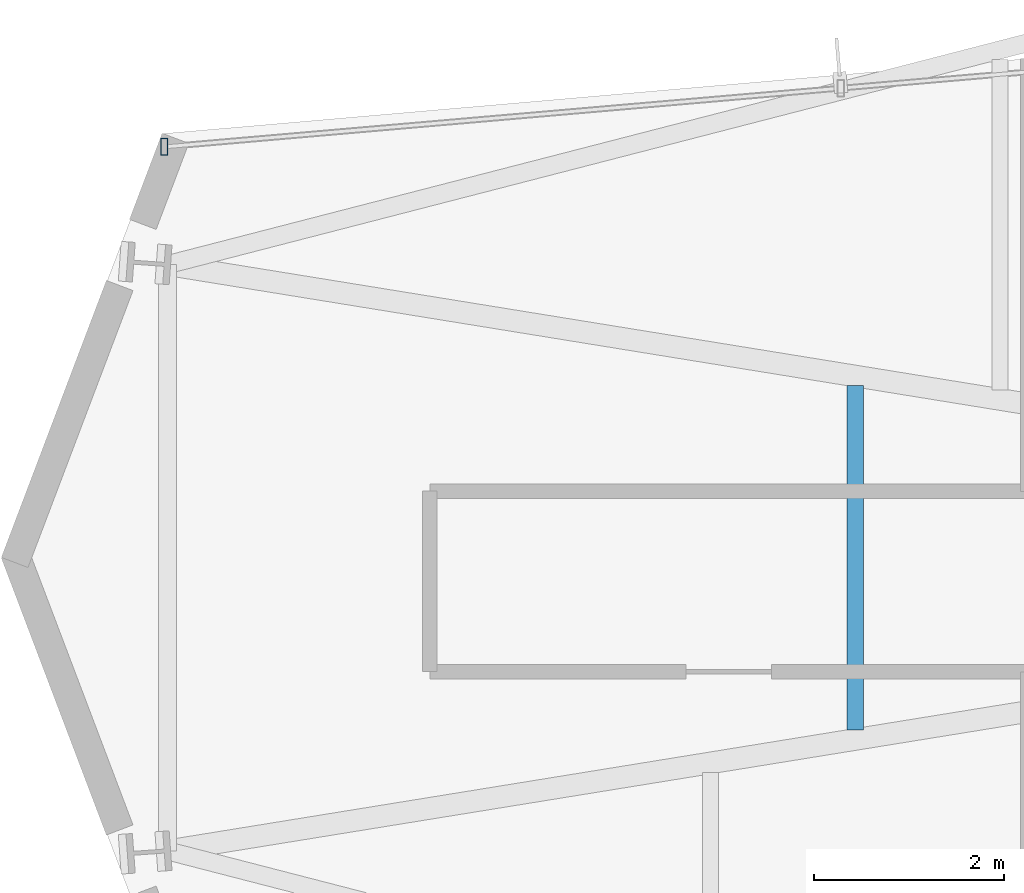
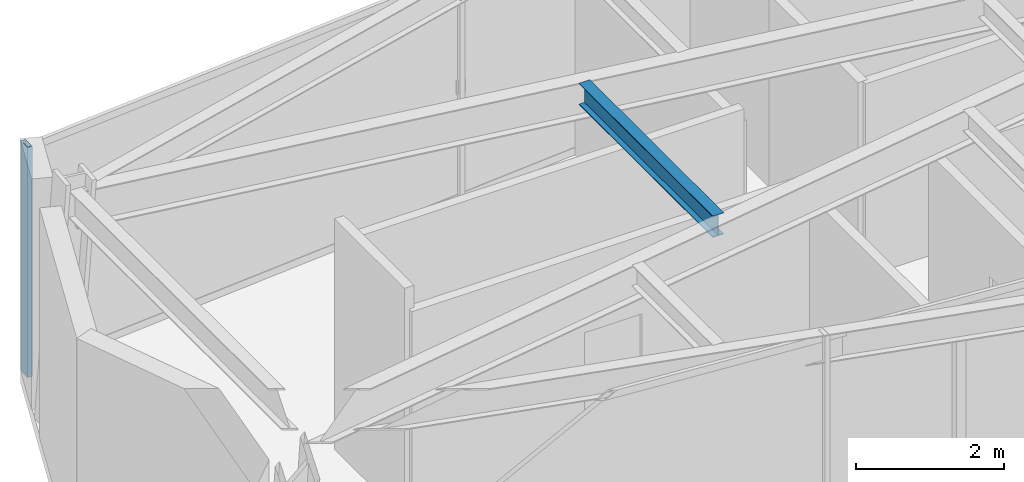
# One storey, part 7 of 23: 1 beam, 1 member, 1 element without a shape of its own.
"""IFC4 building model written with IfcOpenShell, lengths in metres."""

import ifcopenshell
import ifcopenshell.guid

model = None  # the IFC model being written
_history = None  # IfcOwnerHistory: only IFC2X3 demands one
_inside = {}  # id of a spatial element -> (the spatial element, [elements in it])
_under = {}  # id of a project, library or spatial element -> (it, [spatial elements below it])
_declared = {}  # id of a project -> (the project, [libraries it declares])
_typed = {}  # id of a type object -> (the type object, [elements of that type])
_made_of = {}  # id of a material, layer set ... -> (it, [elements and type objects made of it])


def new_model(schema):
    """Start an empty IFC model of exactly this schema.

    Asked for "IFC4X3", IfcOpenShell would pick the latest addendum, in which some entities
    have other attributes; the version numbers below select the first issue.
    IFC2X3 requires an IfcOwnerHistory on every rooted entity: one is made here for all.
    """
    global model, _history
    if schema == "IFC4X3":
        model = ifcopenshell.file(schema_version=(4, 3, 0, 0))
    else:
        model = ifcopenshell.file(schema=schema)
    _inside.clear()
    _under.clear()
    _declared.clear()
    _typed.clear()
    _made_of.clear()
    _history = None
    if model.schema == "IFC2X3":
        org = make("IfcOrganization", Name="unknown")
        user = make(
            "IfcPersonAndOrganization",
            ThePerson=make("IfcPerson", FamilyName="unknown"),
            TheOrganization=org,
        )
        app = make(
            "IfcApplication",
            ApplicationDeveloper=org,
            Version="unknown",
            ApplicationFullName="unknown",
            ApplicationIdentifier="unknown",
        )
        _history = make(
            "IfcOwnerHistory",
            OwningUser=user,
            OwningApplication=app,
            ChangeAction="ADDED",
            CreationDate=0,
        )
    return model


def make(cls, **values):
    """One entity of the class cls with the attributes given. An attribute that is None is left unset."""
    return model.create_entity(
        cls, **{name: value for name, value in values.items() if value is not None}
    )


def rooted(cls, **values):
    """An entity with a GlobalId (a new one), such as an element, a storey or a relation."""
    return make(cls, GlobalId=ifcopenshell.guid.new(), OwnerHistory=_history, **values)


def si_unit(unit_type, name, prefix=None):
    """IfcSIUnit, for example si_unit("LENGTHUNIT", "METRE", prefix="MILLI")."""
    return make("IfcSIUnit", UnitType=unit_type, Prefix=prefix, Name=name)


def assignment(units):
    """IfcUnitAssignment: the units of a project."""
    return None if units is None else make("IfcUnitAssignment", Units=units)


def point(xyz):
    """IfcCartesianPoint."""
    return None if xyz is None else make("IfcCartesianPoint", Coordinates=xyz)


def direction(xyz):
    """IfcDirection."""
    return None if xyz is None else make("IfcDirection", DirectionRatios=xyz)


def frame(location, z_axis=None, x_axis=None):
    """IfcAxis2Placement3D, a coordinate frame: its origin and axes. An axis left out is left unset."""
    return make(
        "IfcAxis2Placement3D",
        Location=point(location),
        Axis=direction(z_axis),
        RefDirection=direction(x_axis),
    )


def frame_2d(location, x_axis=None):
    """IfcAxis2Placement2D, a coordinate frame in the plane: its origin and x axis."""
    return make(
        "IfcAxis2Placement2D", Location=point(location), RefDirection=direction(x_axis)
    )


def origin():
    """The frame at (0, 0, 0) with its axes left unset."""
    return frame((0.0, 0.0, 0.0))


def origin_2d():
    """The frame at (0, 0) in the plane with its x axis left unset."""
    return frame_2d((0.0, 0.0))


def place(relative_to, where):
    """IfcLocalPlacement: puts the frame where relative to a parent placement (None: the world)."""
    return make(
        "IfcLocalPlacement", PlacementRelTo=relative_to, RelativePlacement=where
    )


def context(
    kind, dimensions, precision=None, world=None, true_north=None, identifier=None
):
    """IfcGeometricRepresentationContext, for example the 3D "Model" context."""
    return make(
        "IfcGeometricRepresentationContext",
        ContextIdentifier=identifier,
        ContextType=kind,
        CoordinateSpaceDimension=dimensions,
        Precision=precision,
        WorldCoordinateSystem=world,
        TrueNorth=true_north,
    )


def subcontext(parent, identifier, kind, view, scale=None):
    """IfcGeometricRepresentationSubContext, for example "Body" below "Model"."""
    return make(
        "IfcGeometricRepresentationSubContext",
        ContextIdentifier=identifier,
        ContextType=kind,
        ParentContext=parent,
        TargetScale=scale,
        TargetView=view,
    )


def project(units=None, contexts=None):
    """IfcProject with its units and contexts."""
    return rooted(
        "IfcProject",
        Name="project",
        RepresentationContexts=contexts,
        UnitsInContext=assignment(units),
    )


def spatial(cls, under=None, at=None, **own):
    """A site, building, storey or space (cls), placed at a placement, below another one or the project."""
    s = rooted(cls, ObjectPlacement=at, **own)
    if under is not None:
        _under.setdefault(under.id(), (under, []))[1].append(s)
    return s


def profile(cls, at=None, kind="AREA", **sizes):
    """A parametric profile (cls). Its sizes go by their IFC names, for example OverallWidth=200.0."""
    return make(cls, ProfileType=kind, Position=at, **sizes)


def hollow_rectangle(**sizes):
    """IfcRectangleHollowProfileDef."""
    return profile("IfcRectangleHollowProfileDef", **sizes)


def i_section(**sizes):
    """IfcIShapeProfileDef."""
    return profile("IfcIShapeProfileDef", **sizes)


def extrude(swept, where, along, depth):
    """IfcExtrudedAreaSolid: the profile swept, set in the frame where, extruded along a direction by depth."""
    return make(
        "IfcExtrudedAreaSolid",
        SweptArea=swept,
        Position=where,
        ExtrudedDirection=direction(along),
        Depth=depth,
    )


def shape(context_of_items, identifier, shape_type, items):
    """IfcShapeRepresentation: the items that make up one representation, for example the "Body"."""
    return make(
        "IfcShapeRepresentation",
        ContextOfItems=context_of_items,
        RepresentationIdentifier=identifier,
        RepresentationType=shape_type,
        Items=items,
    )


def material(Name=None, Category=None):
    """IfcMaterial."""
    return make("IfcMaterial", Name=Name, Category=Category)


def layer(
    of_material, thickness, ventilated=None, Name=None, Category=None, Priority=None
):
    """IfcMaterialLayer: one layer of a wall or slab, of a material (None: an air gap)."""
    return make(
        "IfcMaterialLayer",
        Material=of_material,
        LayerThickness=thickness,
        IsVentilated=ventilated,
        Name=Name,
        Category=Category,
        Priority=Priority,
    )


def layer_set(layers, Name=None):
    """IfcMaterialLayerSet."""
    return make("IfcMaterialLayerSet", MaterialLayers=layers, LayerSetName=Name)


def material_profile(
    of_material, cross_section, Name=None, Category=None, Priority=None
):
    """IfcMaterialProfile: a cross section and its material."""
    return make(
        "IfcMaterialProfile",
        Name=Name,
        Material=of_material,
        Profile=cross_section,
        Priority=Priority,
        Category=Category,
    )


def profile_set(profiles, Name=None, composite=None):
    """IfcMaterialProfileSet."""
    return make(
        "IfcMaterialProfileSet",
        Name=Name,
        MaterialProfiles=profiles,
        CompositeProfile=composite,
    )


def made_of(thing, what):
    """Note that an element or type object is made of a material, layer set ...; save() writes the relation."""
    if what is not None:
        _made_of.setdefault(what.id(), (what, []))[1].append(thing)
    return thing


def type_object(cls, material=None, **own):
    """A type object (cls), such as IfcWallType, which elements share."""
    return made_of(rooted(cls, **own), material)


def element(
    cls,
    number,
    at=None,
    inside=None,
    cuts=None,
    type_object=None,
    material=None,
    context=None,
    identifier="Body",
    shape_type=None,
    held_by="IfcProductDefinitionShape",
    body=None,
    shapes=None,
    **own,
):
    """One element of the class cls, such as IfcWall. Its Tag is "e" and its number.

    at: its placement. inside: the storey or other place that contains it. cuts: it is an
    opening in that element (IfcRelVoidsElement). A single representation is given by context,
    identifier, shape_type and body (its items); several are given by shapes. held_by: the class
    of the entity that holds the representations. save() writes the other relations.
    """
    e = rooted(cls, Tag="e%d" % number, ObjectPlacement=at, **own)
    if body is not None:
        shapes = [shape(context, identifier, shape_type, body)]
    if shapes is not None:
        e.Representation = make(held_by, Representations=shapes)
    if inside is not None:
        _inside.setdefault(inside.id(), (inside, []))[1].append(e)
    if cuts is not None:
        rooted(
            "IfcRelVoidsElement", RelatingBuildingElement=cuts, RelatedOpeningElement=e
        )
    if type_object is not None:
        _typed.setdefault(type_object.id(), (type_object, []))[1].append(e)
    return made_of(e, material)


def aggregate(whole, parts):
    """IfcRelAggregates: a whole, such as a stair, and the parts it consists of."""
    return rooted("IfcRelAggregates", RelatingObject=whole, RelatedObjects=parts)


def save(model, path):
    """Write the relations noted so far, then the file.

    IfcRelAggregates (storeys below a building ...), IfcRelContainedInSpatialStructure (elements
    in a storey), IfcRelDefinesByType, IfcRelAssociatesMaterial and IfcRelDeclares: one each for
    every whole, place, type object, material and project.
    """
    for whole, parts in _under.values():
        aggregate(whole, parts)
    for where, things in _inside.values():
        rooted(
            "IfcRelContainedInSpatialStructure",
            RelatedElements=things,
            RelatingStructure=where,
        )
    for kind, things in _typed.values():
        rooted("IfcRelDefinesByType", RelatedObjects=things, RelatingType=kind)
    for what, things in _made_of.values():
        rooted("IfcRelAssociatesMaterial", RelatedObjects=things, RelatingMaterial=what)
    for by, libraries in _declared.values():
        rooted("IfcRelDeclares", RelatingContext=by, RelatedDefinitions=libraries)
    model.write(path)


model = new_model("IFC4")

# Units and contexts
model_context = context("Model", 3, precision=1e-05, world=origin(), true_north=direction((0.0, 1.0)))
body_context = subcontext(model_context, "Body", "Model", "MODEL_VIEW")
ifc_project = project(units=[si_unit("LENGTHUNIT", "METRE"), si_unit("AREAUNIT", "SQUARE_METRE"), si_unit("VOLUMEUNIT", "CUBIC_METRE"), si_unit("PLANEANGLEUNIT", "RADIAN"), si_unit("MASSUNIT", "GRAM", prefix="KILO")], contexts=[model_context])

# Site, building, storey
site_placement = place(None, origin())
site = spatial("IfcSite", under=ifc_project, at=site_placement, CompositionType="ELEMENT")
building_placement = place(site_placement, origin())
building = spatial("IfcBuilding", under=site, at=building_placement, Name="Veymaron Broadcast Tower", CompositionType="ELEMENT")
storey_placement = place(building_placement, frame((0.0, 0.0, 165.449951171875)))
storey = spatial("IfcBuildingStorey", under=building, at=storey_placement, Name="L38", CompositionType="ELEMENT", Elevation=165.449951171875)

# Beam
ifc_material_1 = material(Name="Structural steel ASTM A992 Gr 50", Category="steel")
ifc_material_profile_1 = material_profile(ifc_material_1, i_section(OverallWidth=0.1708984375, OverallDepth=0.35498046875, WebThickness=0.007080078125, FlangeThickness=0.01171875, at=origin_2d()), Name="W360X51")
ifc_profile_set_1 = profile_set([ifc_material_profile_1], Name="Structural steel ASTM A992 Gr 50")
beam_type = type_object("IfcBeamType", Name="BM-JS2", PredefinedType="JOIST", material=ifc_profile_set_1)
beam_placement = place(storey_placement, frame((19.38720703125, 22.187255859375, 3.632568359375), z_axis=(0.0, 1.0, 0.0), x_axis=(-1.0, 0.0, 0.0)))
element("IfcBeam", 1, at=beam_placement, inside=storey, type_object=beam_type, Name="L38 Arm-A secondary joist 1M", PredefinedType="JOIST", context=body_context, shape_type="SweptSolid", body=[
    extrude(i_section(OverallWidth=0.1708984375, OverallDepth=0.35498046875, WebThickness=0.007080078125, FlangeThickness=0.01171875, at=origin_2d()), origin(), (0.0, 0.0, 1.0), 3.62548828125),
])

# Curtain wall, member
ifc_material_2 = material(Name="Anodised aluminium AA 6063-T6 and laminated low-E dark glass", Category="aluminium")
ifc_layer = layer(ifc_material_2, 0.179931640625)
ifc_layer_set = layer_set([ifc_layer], Name="Anodised aluminium AA 6063-T6 and laminated low-E dark glass")
curtain_wall_type = type_object("IfcCurtainWallType", Name="CW-SYS-03", PredefinedType="NOTDEFINED", material=ifc_layer_set)
curtain_wall_placement = place(storey_placement, origin())
curtain_wall = element("IfcCurtainWall", 2, at=curtain_wall_placement, inside=storey, type_object=curtain_wall_type, Name="L38 dark-glass curtain wall CW-L38-E11-1", PredefinedType="NOTDEFINED")
ifc_material_3 = material(Name="Anodised aluminium AA 6063-T6", Category="aluminium")
ifc_material_profile_2 = material_profile(ifc_material_3, hollow_rectangle(XDim=0.074951171875, YDim=0.179931640625, WallThickness=0.0048828125, at=origin_2d()), Name="AL180X75X5")
ifc_profile_set_2 = profile_set([ifc_material_profile_2], Name="Anodised aluminium AA 6063-T6")
member_type = type_object("IfcMemberType", Name="CW-MUL-02", PredefinedType="MULLION", material=ifc_profile_set_2)
member_placement = place(storey_placement, frame((12.112060546875, 28.32470703125, 0.0), z_axis=(0.0, 0.0, 1.0), x_axis=(1.0, 0.0, 0.0)))
member = element("IfcMember", 3, at=member_placement, type_object=member_type, Name="CW-L38-E11-1 mullion 2", PredefinedType="MULLION", context=body_context, shape_type="SweptSolid", body=[
    extrude(hollow_rectangle(XDim=0.074951171875, YDim=0.179931640625, WallThickness=0.0048828125, at=origin_2d()), origin(), (0.0, 0.0, 1.0), 3.81005859375),
])
aggregate(curtain_wall, [member])

save(model, "model.ifc")
